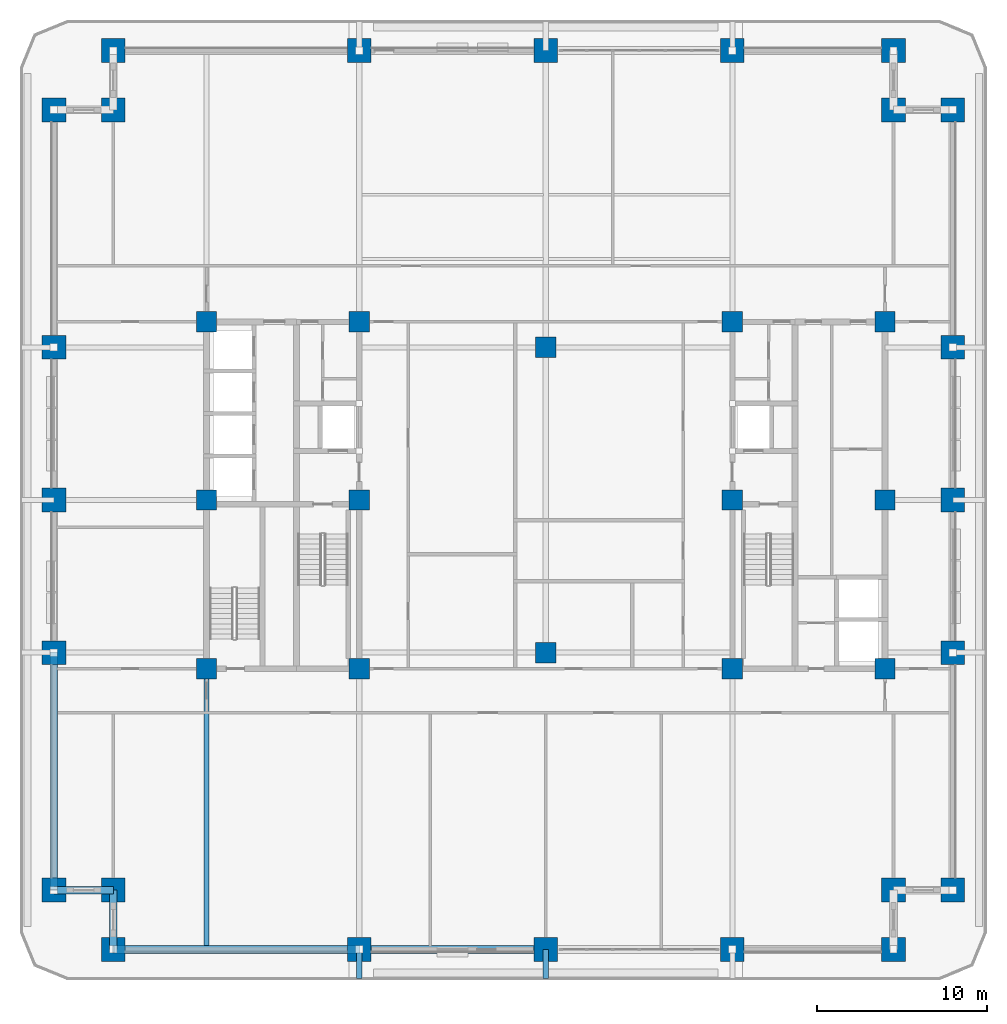
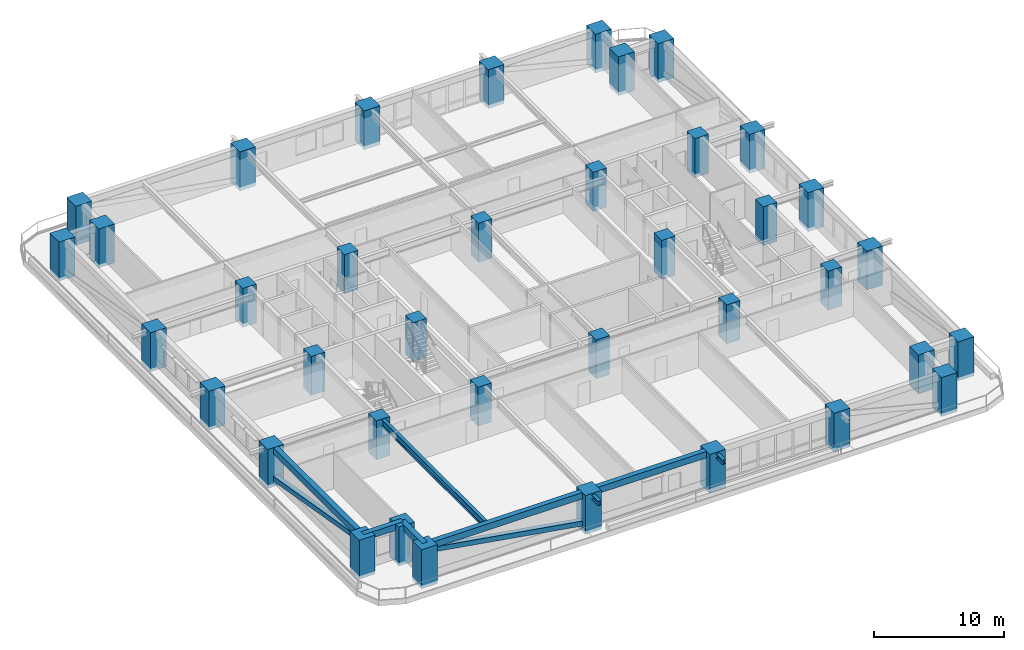
# One storey, part 1 of 20: 38 columns, 8 beams, 2 members.
"""IFC4 building model written with IfcOpenShell, lengths in metres."""

from ifc_helpers import new_model, si_unit, direction, frame, origin, origin_2d, place, context, subcontext, project, spatial, rectangle, hollow_rectangle, i_section, extrude, material, material_profile, profile_set, type_object, element, save


model = new_model("IFC4")

# Units and contexts
model_context = context("Model", 3, precision=1e-05, world=origin(), true_north=direction((0.0, 1.0)))
body_context = subcontext(model_context, "Body", "Model", "MODEL_VIEW")
ifc_project = project(units=[si_unit("LENGTHUNIT", "METRE"), si_unit("AREAUNIT", "SQUARE_METRE"), si_unit("VOLUMEUNIT", "CUBIC_METRE"), si_unit("PLANEANGLEUNIT", "RADIAN"), si_unit("MASSUNIT", "GRAM", prefix="KILO")], contexts=[model_context])

# Site, building, storey
site_placement = place(None, origin())
site = spatial("IfcSite", under=ifc_project, at=site_placement, CompositionType="ELEMENT")
building_placement = place(site_placement, origin())
building = spatial("IfcBuilding", under=site, at=building_placement, Name="Zulmaris Gate Convention Tower", CompositionType="ELEMENT")
storey_placement = place(building_placement, frame((0.0, 0.0, 71.469970703125)))
storey = spatial("IfcBuildingStorey", under=building, at=storey_placement, Name="L17", CompositionType="ELEMENT", Elevation=71.469970703125)

# Columns
ifc_material_1 = material(Name="Concrete C70/85", Category="concrete")
ifc_material_profile_1 = material_profile(ifc_material_1, rectangle(XDim=1.199951171875, YDim=1.199951171875, at=origin_2d()), Name="RC COL 1200x1200")
ifc_profile_set_1 = profile_set([ifc_material_profile_1], Name="Concrete C70/85")
column_type_1 = type_object("IfcColumnType", Name="COL-RC1200", PredefinedType="COLUMN", material=ifc_profile_set_1)
for number, where, z_axis, x_axis, name in (
    (1, (-20.0, -9.949951171875, -0.324951171875), (0.0, 0.0, 1.0), (1.0, 0.0, 0.0), "L17 Column IN--20.00_-9.95"),
    (2, (-20.0, 10.5, -0.324951171875), (0.0, 0.0, 1.0), (1.0, 0.0, 0.0), "L17 Column IN--20.00_+10.50"),
    (3, (-11.0, -9.949951171875, -0.324951171875), (0.0, 0.0, 1.0), (1.0, 0.0, 0.0), "L17 Column IN--11.00_-9.95"),
    (4, (-11.0, 0.0, -0.324951171875), (0.0, 0.0, 1.0), (1.0, 0.0, 0.0), "L17 Column IN--11.00_+0.00"),
    (5, (-11.0, 10.5, -0.324951171875), (0.0, 0.0, 1.0), (1.0, 0.0, 0.0), "L17 Column IN--11.00_+10.50"),
    (6, (11.0, -9.949951171875, -0.324951171875), (0.0, 0.0, 1.0), (1.0, 0.0, 0.0), "L17 Column IN-+11.00_-9.95"),
    (7, (11.0, 0.0, -0.324951171875), (0.0, 0.0, 1.0), (1.0, 0.0, 0.0), "L17 Column IN-+11.00_+0.00"),
    (8, (11.0, 10.5, -0.324951171875), (0.0, 0.0, 1.0), (1.0, 0.0, 0.0), "L17 Column IN-+11.00_+10.50"),
    (9, (20.0, -9.949951171875, -0.324951171875), (0.0, 0.0, 1.0), (1.0, 0.0, 0.0), "L17 Column IN-+20.00_-9.95"),
    (10, (20.0, 10.5, -0.324951171875), (0.0, 0.0, 1.0), (1.0, 0.0, 0.0), "L17 Column IN-+20.00_+10.50"),
    (11, (0.0, -9.0, -0.324951171875), (0.0, 0.0, 1.0), (1.0, 0.0, 0.0), "L17 Column IN-+0.00_-9.00"),
    (12, (0.0, 9.0, -0.324951171875), (0.0, 0.0, 1.0), (1.0, 0.0, 0.0), "L17 Column IN-+0.00_+9.00"),
    (13, (-20.0, 0.0, -0.324951171875), (0.0, 0.0, 1.0), (1.0, 0.0, 0.0), "L17 Column IN--20.00_+0.00"),
    (14, (20.0, 0.0, -0.324951171875), (0.0, 0.0, 1.0), (1.0, 0.0, 0.0), "L17 Column IN-+20.00_+0.00"),
):
    element("IfcColumn", number, at=place(storey_placement, frame(where, z_axis=z_axis, x_axis=x_axis)), inside=storey, type_object=column_type_1, Name=name, PredefinedType="COLUMN", context=body_context, shape_type="SweptSolid", body=[
        extrude(rectangle(XDim=1.199951171875, YDim=1.199951171875, at=origin_2d()), origin(), (0.0, 0.0, 1.0), 3.64501953125),
    ])
ifc_material_2 = material(Name="Concrete C80/95", Category="concrete")
ifc_material_profile_2 = material_profile(ifc_material_2, rectangle(XDim=1.39990234375, YDim=1.39990234375, at=origin_2d()), Name="RC COL 1400x1400")
ifc_profile_set_2 = profile_set([ifc_material_profile_2], Name="Concrete C80/95")
column_type_2 = type_object("IfcColumnType", Name="COL-RC1400", PredefinedType="COLUMN", material=ifc_profile_set_2)
for number, where, z_axis, x_axis, name in (
    (15, (-25.5, -26.5, -0.324951171875), (0.0, 0.0, 1.0), (1.0, 0.0, 0.0), "L17 Column PT--25.50_-26.50"),
    (16, (-11.0, -26.5, -0.324951171875), (0.0, 0.0, 1.0), (1.0, 0.0, 0.0), "L17 Column PT--11.00_-26.50"),
    (17, (0.0, -26.5, -0.324951171875), (0.0, 0.0, 1.0), (1.0, 0.0, 0.0), "L17 Column PT-+0.00_-26.50"),
    (18, (11.0, -26.5, -0.324951171875), (0.0, 0.0, 1.0), (1.0, 0.0, 0.0), "L17 Column PT-+11.00_-26.50"),
    (19, (20.5, -26.5, -0.324951171875), (0.0, 0.0, 1.0), (1.0, 0.0, 0.0), "L17 Column PT-+20.50_-26.50"),
    (20, (-25.5, 26.5, -0.324951171875), (0.0, 0.0, 1.0), (1.0, 0.0, 0.0), "L17 Column PT--25.50_+26.50"),
    (21, (-11.0, 26.5, -0.324951171875), (0.0, 0.0, 1.0), (1.0, 0.0, 0.0), "L17 Column PT--11.00_+26.50"),
    (22, (0.0, 26.5, -0.324951171875), (0.0, 0.0, 1.0), (1.0, 0.0, 0.0), "L17 Column PT-+0.00_+26.50"),
    (23, (11.0, 26.5, -0.324951171875), (0.0, 0.0, 1.0), (1.0, 0.0, 0.0), "L17 Column PT-+11.00_+26.50"),
    (24, (20.5, 26.5, -0.324951171875), (0.0, 0.0, 1.0), (1.0, 0.0, 0.0), "L17 Column PT-+20.50_+26.50"),
    (25, (-29.0, -23.0, -0.324951171875), (0.0, 0.0, 1.0), (1.0, 0.0, 0.0), "L17 Column PT--29.00_-23.00"),
    (26, (-29.0, -9.0, -0.324951171875), (0.0, 0.0, 1.0), (1.0, 0.0, 0.0), "L17 Column PT--29.00_-9.00"),
    (27, (-29.0, 0.0, -0.324951171875), (0.0, 0.0, 1.0), (1.0, 0.0, 0.0), "L17 Column PT--29.00_+0.00"),
    (28, (-29.0, 9.0, -0.324951171875), (0.0, 0.0, 1.0), (1.0, 0.0, 0.0), "L17 Column PT--29.00_+9.00"),
    (29, (-29.0, 23.0, -0.324951171875), (0.0, 0.0, 1.0), (1.0, 0.0, 0.0), "L17 Column PT--29.00_+23.00"),
    (30, (24.0, -23.0, -0.324951171875), (0.0, 0.0, 1.0), (1.0, 0.0, 0.0), "L17 Column PT-+24.00_-23.00"),
    (31, (24.0, -9.0, -0.324951171875), (0.0, 0.0, 1.0), (1.0, 0.0, 0.0), "L17 Column PT-+24.00_-9.00"),
    (32, (24.0, 0.0, -0.324951171875), (0.0, 0.0, 1.0), (1.0, 0.0, 0.0), "L17 Column PT-+24.00_+0.00"),
    (33, (24.0, 9.0, -0.324951171875), (0.0, 0.0, 1.0), (1.0, 0.0, 0.0), "L17 Column PT-+24.00_+9.00"),
    (34, (24.0, 23.0, -0.324951171875), (0.0, 0.0, 1.0), (1.0, 0.0, 0.0), "L17 Column PT-+24.00_+23.00"),
    (35, (-25.5, -23.0, -0.324951171875), (0.0, 0.0, 1.0), (1.0, 0.0, 0.0), "L17 Column PT--25.50_-23.00"),
    (36, (20.5, -23.0, -0.324951171875), (0.0, 0.0, 1.0), (1.0, 0.0, 0.0), "L17 Column PT-+20.50_-23.00"),
    (37, (20.5, 23.0, -0.324951171875), (0.0, 0.0, 1.0), (1.0, 0.0, 0.0), "L17 Column PT-+20.50_+23.00"),
    (38, (-25.5, 23.0, -0.324951171875), (0.0, 0.0, 1.0), (1.0, 0.0, 0.0), "L17 Column PT--25.50_+23.00"),
):
    element("IfcColumn", number, at=place(storey_placement, frame(where, z_axis=z_axis, x_axis=x_axis)), inside=storey, type_object=column_type_2, Name=name, PredefinedType="COLUMN", context=body_context, shape_type="SweptSolid", body=[
        extrude(rectangle(XDim=1.39990234375, YDim=1.39990234375, at=origin_2d()), origin(), (0.0, 0.0, 1.0), 3.64501953125),
    ])

# Beams
ifc_material_3 = material(Name="Steel S355", Category="steel")
ifc_material_profile_3 = material_profile(ifc_material_3, i_section(OverallWidth=0.300048828125, OverallDepth=0.39990234375, WebThickness=0.013427734375, FlangeThickness=0.02392578125, FilletRadius=0.027099609375, at=origin_2d()), Name="HEB 400")
ifc_profile_set_3 = profile_set([ifc_material_profile_3], Name="Steel S355")
beam_type_1 = type_object("IfcBeamType", Name="BM-HEB400", PredefinedType="BEAM", material=ifc_profile_set_3)
for number, where, z_axis, x_axis, name in (
    (39, (-11.0, -28.199951171875, 2.97998046875), (0.0, 1.0, 0.0), (-1.0, 0.0, 0.0), "L17 Beam TBRK-L17-S--11"),
    (40, (0.0, -28.199951171875, 2.97998046875), (0.0, 1.0, 0.0), (-1.0, 0.0, 0.0), "L17 Beam TBRK-L17-S-+0"),
):
    element("IfcBeam", number, at=place(storey_placement, frame(where, z_axis=z_axis, x_axis=x_axis)), inside=storey, type_object=beam_type_1, Name=name, PredefinedType="BEAM", context=body_context, shape_type="SweptSolid", body=[
        extrude(i_section(OverallWidth=0.300048828125, OverallDepth=0.39990234375, WebThickness=0.013427734375, FlangeThickness=0.02392578125, FilletRadius=0.027099609375, at=origin_2d()), origin(), (0.0, 0.0, 1.0), 1.699951171875),
    ])
ifc_material_profile_4 = material_profile(ifc_material_3, i_section(OverallWidth=0.300048828125, OverallDepth=0.64990234375, WebThickness=0.01611328125, FlangeThickness=0.031005859375, FilletRadius=0.027099609375, at=origin_2d()), Name="HEB 650")
ifc_profile_set_4 = profile_set([ifc_material_profile_4], Name="Steel S355")
beam_type_2 = type_object("IfcBeamType", Name="BM-HEB650", PredefinedType="BEAM", material=ifc_profile_set_4)
beam_1_placement = place(storey_placement, frame((-20.0, -26.5, 2.992919921875), z_axis=(0.0, 1.0, 0.0), x_axis=(-1.0, 0.0, 0.0)))
element("IfcBeam", 41, at=beam_1_placement, inside=storey, type_object=beam_type_2, Name="L17 Beam BM-L17-G12", PredefinedType="BEAM", context=body_context, shape_type="SweptSolid", body=[
    extrude(i_section(OverallWidth=0.300048828125, OverallDepth=0.64990234375, WebThickness=0.01611328125, FlangeThickness=0.031005859375, FilletRadius=0.027099609375, at=origin_2d()), origin(), (0.0, 0.0, 1.0), 16.550048828125),
])
ifc_material_4 = material(Name="Precast concrete C50/60", Category="concrete")
ifc_material_profile_5 = material_profile(ifc_material_4, rectangle(XDim=0.449951171875, YDim=0.60009765625, at=origin_2d()), Name="RC SPANDREL 450x600")
ifc_profile_set_5 = profile_set([ifc_material_profile_5], Name="Precast concrete C50/60")
beam_type_3 = type_object("IfcBeamType", Name="BM-SP450x600", PredefinedType="SPANDREL", material=ifc_profile_set_5)
beam_2_placement = place(storey_placement, frame((-25.5, -26.5, 3.02001953125), z_axis=(1.0, 0.0, 0.0), x_axis=(0.0, 1.0, 0.0)))
element("IfcBeam", 42, at=beam_2_placement, inside=storey, type_object=beam_type_3, Name="L17 Spandrel SP-L17-01", PredefinedType="SPANDREL", context=body_context, shape_type="SweptSolid", body=[
    extrude(rectangle(XDim=0.449951171875, YDim=0.60009765625, at=origin_2d()), origin(), (0.0, 0.0, 1.0), 14.5),
])
beam_3_placement = place(storey_placement, frame((-11.0, -26.5, 3.02001953125), z_axis=(1.0, 0.0, 0.0), x_axis=(0.0, 1.0, 0.0)))
element("IfcBeam", 43, at=beam_3_placement, inside=storey, type_object=beam_type_3, Name="L17 Spandrel SP-L17-02", PredefinedType="SPANDREL", context=body_context, shape_type="SweptSolid", body=[
    extrude(rectangle(XDim=0.449951171875, YDim=0.60009765625, at=origin_2d()), origin(), (0.0, 0.0, 1.0), 11.0),
])
beam_4_placement = place(storey_placement, frame((-29.0, -9.0, 3.02001953125), z_axis=(0.0, -1.0, 0.0), x_axis=(1.0, 0.0, 0.0)))
element("IfcBeam", 44, at=beam_4_placement, inside=storey, type_object=beam_type_3, Name="L17 Spandrel SP-L17-22", PredefinedType="SPANDREL", context=body_context, shape_type="SweptSolid", body=[
    extrude(rectangle(XDim=0.449951171875, YDim=0.60009765625, at=origin_2d()), origin(), (0.0, 0.0, 1.0), 14.0),
])
for number, where, z_axis, x_axis, name in (
    (45, (-29.0, -23.0, 3.02001953125), (1.0, 0.0, 0.0), (0.0, 1.0, 0.0), "L17 Spandrel SP-L17-23"),
    (46, (-25.5, -23.0, 3.02001953125), (0.0, -1.0, 0.0), (1.0, 0.0, 0.0), "L17 Spandrel SP-L17-24"),
):
    element("IfcBeam", number, at=place(storey_placement, frame(where, z_axis=z_axis, x_axis=x_axis)), inside=storey, type_object=beam_type_3, Name=name, PredefinedType="SPANDREL", context=body_context, shape_type="SweptSolid", body=[
        extrude(rectangle(XDim=0.449951171875, YDim=0.60009765625, at=origin_2d()), origin(), (0.0, 0.0, 1.0), 3.5),
    ])

# Members
ifc_material_5 = material(Name="Steel S460", Category="steel")
ifc_material_profile_6 = material_profile(ifc_material_5, hollow_rectangle(XDim=0.449951171875, YDim=0.449951171875, WallThickness=0.02490234375, at=origin_2d()), Name="SHS 450x450x25")
ifc_profile_set_6 = profile_set([ifc_material_profile_6], Name="Steel S460")
member_type = type_object("IfcMemberType", Name="BR-SHS450", PredefinedType="BRACE", material=ifc_profile_set_6)
member_1_placement = place(storey_placement, frame((-29.0, -9.0, 0.300048828125), z_axis=(0.0, -0.985623399742, 0.168957136221), x_axis=(1.0, 0.0, 0.0)))
element("IfcMember", 47, at=member_1_placement, inside=storey, type_object=member_type, Name="L17 Perimeter Tube Diagonal SW-W", PredefinedType="BRACE", context=body_context, shape_type="SweptSolid", body=[
    extrude(hollow_rectangle(XDim=0.449951171875, YDim=0.449951171875, WallThickness=0.02490234375, at=origin_2d()), origin(), (0.0, 0.0, 1.0), 14.2041015625),
])
member_2_placement = place(storey_placement, frame((-11.0, -26.5, 0.300048828125), z_axis=(-0.986578268552, 0.0, 0.163289068896), x_axis=(0.0, -1.0, 0.0)))
element("IfcMember", 48, at=member_2_placement, inside=storey, type_object=member_type, Name="L17 Perimeter Tube Diagonal SW-S", PredefinedType="BRACE", context=body_context, shape_type="SweptSolid", body=[
    extrude(hollow_rectangle(XDim=0.449951171875, YDim=0.449951171875, WallThickness=0.02490234375, at=origin_2d()), origin(), (0.0, 0.0, 1.0), 14.697265625),
])

save(model, "model.ifc")
